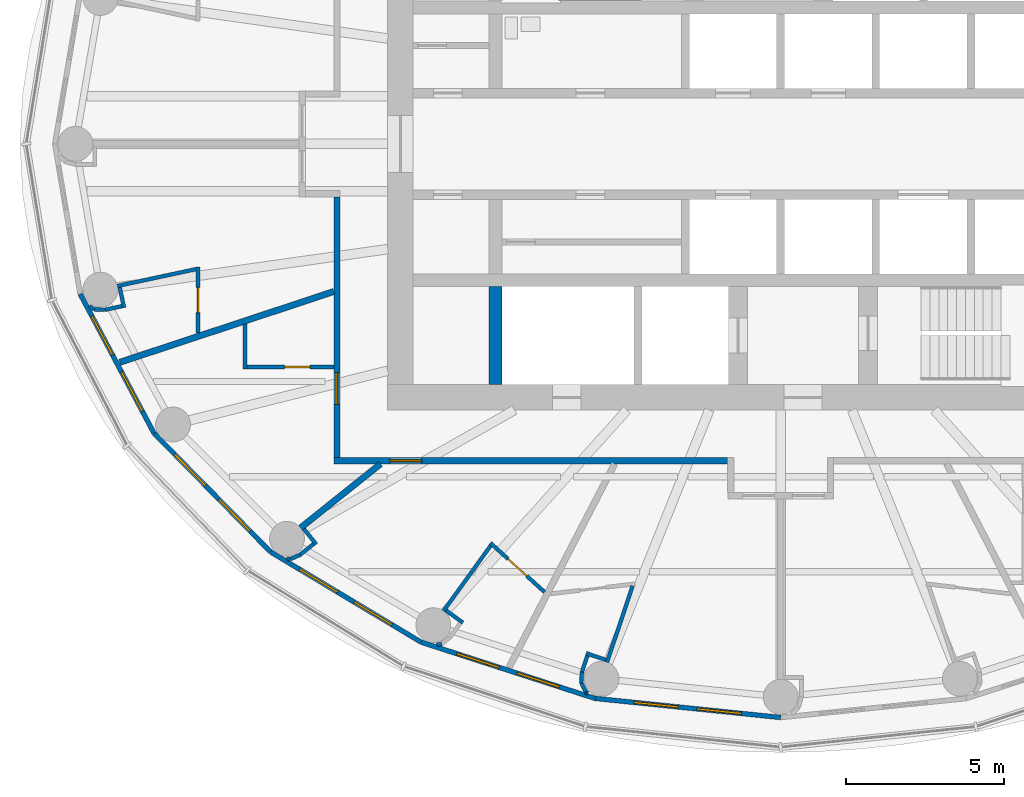
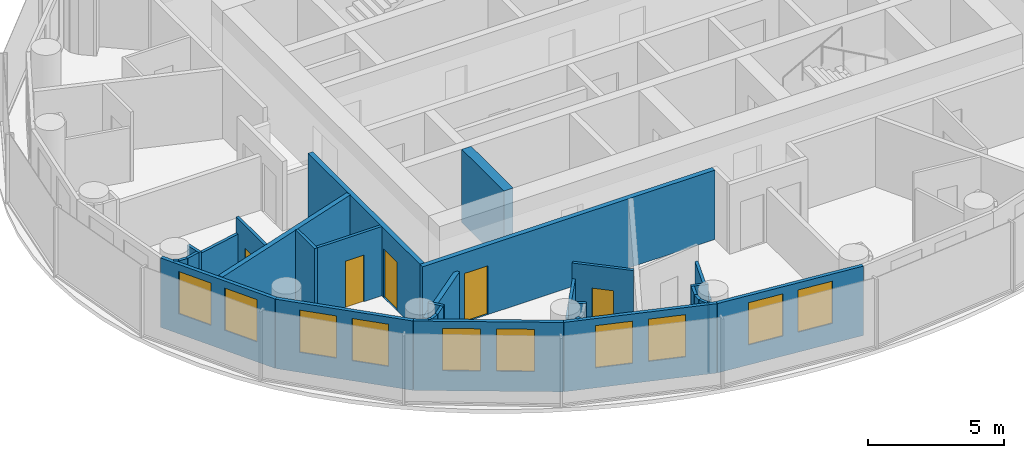
# One storey, part 6 of 16: 32 walls, 10 windows, 5 doors, 15 openings.
"""IFC4 building model written with IfcOpenShell, lengths in metres."""

from ifc_helpers import new_model, si_unit, direction, frame, frame_2d, origin, place, context, subcontext, project, spatial, rectangle, extrude, material, layer, layer_set, type_object, element, fill, save


model = new_model("IFC4")

# Units and contexts
model_context = context("Model", 3, precision=1e-05, world=origin(), true_north=direction((0.0, 1.0)))
body_context = subcontext(model_context, "Body", "Model", "MODEL_VIEW")
ifc_project = project(units=[si_unit("LENGTHUNIT", "METRE"), si_unit("AREAUNIT", "SQUARE_METRE"), si_unit("VOLUMEUNIT", "CUBIC_METRE"), si_unit("PLANEANGLEUNIT", "RADIAN"), si_unit("MASSUNIT", "GRAM", prefix="KILO")], contexts=[model_context])

# Site, building, storey
site_placement = place(None, origin())
site = spatial("IfcSite", under=ifc_project, at=site_placement, CompositionType="ELEMENT")
building_placement = place(site_placement, origin())
building = spatial("IfcBuilding", under=site, at=building_placement, Name="Hankou Lantern Tower", CompositionType="ELEMENT")
storey_placement = place(building_placement, frame((0.0, 0.0, 153.300048828125)))
storey = spatial("IfcBuildingStorey", under=building, at=storey_placement, Name="L40", CompositionType="ELEMENT", Elevation=153.300048828125)

# Wall
ifc_material_1 = material(Name="Concrete C60", Category="concrete")
ifc_layer_1 = layer(ifc_material_1, 0.39990234375)
ifc_layer_set_1 = layer_set([ifc_layer_1], Name="Concrete C60")
wall_type_1 = type_object("IfcWallType", Name="CW4 CORE CROSS WALL 400", PredefinedType="SHEAR", material=ifc_layer_set_1)
wall_1_placement = place(storey_placement, frame((-9.0, -7.60009765625, 0.0), z_axis=(0.0, 0.0, 1.0), x_axis=(0.0, 1.0, 0.0)))
element("IfcWall", 1, at=wall_1_placement, inside=storey, type_object=wall_type_1, Name="Core strip wall L40", PredefinedType="SHEAR", context=body_context, shape_type="SweptSolid", body=[
    extrude(rectangle(XDim=3.10009765625, YDim=0.39990234375, at=frame_2d((1.550048828125, 0.0))), origin(), (0.0, 0.0, 1.0), 3.300048828125),
])

# Wall, openings, windows
ifc_material_2 = material(Name="Aluminium spandrel panel on steel studs", Category="steel")
ifc_layer_2 = layer(ifc_material_2, 0.14990234375)
ifc_layer_set_2 = layer_set([ifc_layer_2], Name="Aluminium spandrel panel on steel studs")
wall_type_2 = type_object("IfcWallType", Name="EW1 INNER SKIN WALL 150", PredefinedType="ELEMENTEDWALL", material=ifc_layer_set_2)
wall_2_placement = place(storey_placement, frame((-22.1015625, -4.73779296875, 0.0), z_axis=(0.0, 0.0, 1.0), x_axis=(0.468428906714, -0.883501193748, 0.0)))
wall_2 = element("IfcWall", 2, at=wall_2_placement, inside=storey, type_object=wall_type_2, Name="Inner skin R14-R15 L40", PredefinedType="ELEMENTEDWALL", context=body_context, shape_type="SweptSolid", body=[
    extrude(rectangle(XDim=4.9736328125, YDim=0.14990234375, at=frame_2d((2.48681640625, 0.0))), origin(), (0.0, 0.0, 1.0), 3.119873046875),
])
opening_1_placement = place(wall_2_placement, frame((0.786865234375, 0.0, 0.89990234375)))
opening_1 = element("IfcOpeningElement", 3, at=opening_1_placement, cuts=wall_2, Name="Opening W3", PredefinedType="OPENING", context=body_context, shape_type="SweptSolid", body=[
    extrude(rectangle(XDim=1.39990234375, YDim=1.89990234375, at=frame_2d((0.699951171875, 0.949951171875))), frame((0.0, 0.0849609375, 0.0), z_axis=(0.0, -1.0, 0.0), x_axis=(1.0, 0.0, 0.0)), (0.0, 0.0, 1.0), 0.169921875),
])
opening_2_placement = place(wall_2_placement, frame((2.786865234375, 0.0, 0.89990234375)))
opening_2 = element("IfcOpeningElement", 4, at=opening_2_placement, cuts=wall_2, Name="Opening W3", PredefinedType="OPENING", context=body_context, shape_type="SweptSolid", body=[
    extrude(rectangle(XDim=1.39990234375, YDim=1.89990234375, at=frame_2d((0.699951171875, 0.949951171875))), frame((0.0, 0.0849609375, 0.0), z_axis=(0.0, -1.0, 0.0), x_axis=(1.0, 0.0, 0.0)), (0.0, 0.0, 1.0), 0.169921875),
])
ifc_material_3 = material(Name="Aluminium framed double glazed window", Category="aluminium")
window_type = type_object("IfcWindowType", Name="W3 GUEST ROOM WINDOW 1400X1900", PartitioningType="DOUBLE_PANEL_VERTICAL", PredefinedType="WINDOW", material=ifc_material_3)
window_1_placement = place(opening_1_placement, origin())
window_1 = element("IfcWindow", 5, at=window_1_placement, inside=storey, type_object=window_type, Name="Window R14.1 L40", OverallHeight=1.89990234375, OverallWidth=1.39990234375, PartitioningType="SINGLE_PANEL", PredefinedType="WINDOW", context=body_context, shape_type="SweptSolid", body=[
    extrude(rectangle(XDim=1.39990234375, YDim=1.89990234375, at=frame_2d((0.699951171875, 0.949951171875))), frame((0.0, 0.030029296875, 0.0), z_axis=(0.0, -1.0, 0.0), x_axis=(1.0, 0.0, 0.0)), (0.0, 0.0, 1.0), 0.06005859375),
])
fill(opening_1, window_1)
window_2_placement = place(opening_2_placement, origin())
window_2 = element("IfcWindow", 6, at=window_2_placement, inside=storey, type_object=window_type, Name="Window R14.2 L40", OverallHeight=1.89990234375, OverallWidth=1.39990234375, PartitioningType="SINGLE_PANEL", PredefinedType="WINDOW", context=body_context, shape_type="SweptSolid", body=[
    extrude(rectangle(XDim=1.39990234375, YDim=1.89990234375, at=frame_2d((0.699951171875, 0.949951171875))), frame((0.0, 0.030029296875, 0.0), z_axis=(0.0, -1.0, 0.0), x_axis=(1.0, 0.0, 0.0)), (0.0, 0.0, 1.0), 0.06005859375),
])
fill(opening_2, window_2)

wall_3_placement = place(storey_placement, frame((-19.771728515625, -9.132080078125, 0.0), z_axis=(0.0, 0.0, 1.0), x_axis=(0.700727467776, -0.71342905457, 0.0)))
wall_3 = element("IfcWall", 7, at=wall_3_placement, inside=storey, type_object=wall_type_2, Name="Inner skin R15-R16 L40", PredefinedType="ELEMENTEDWALL", context=body_context, shape_type="SweptSolid", body=[
    extrude(rectangle(XDim=5.247314453125, YDim=0.14990234375, at=frame_2d((2.62353515625, 0.0))), origin(), (0.0, 0.0, 1.0), 3.119873046875),
])
opening_3_placement = place(wall_3_placement, frame((0.923583984375, 0.0, 0.89990234375)))
opening_3 = element("IfcOpeningElement", 8, at=opening_3_placement, cuts=wall_3, Name="Opening W3", PredefinedType="OPENING", context=body_context, shape_type="SweptSolid", body=[
    extrude(rectangle(XDim=1.39990234375, YDim=1.89990234375, at=frame_2d((0.699951171875, 0.949951171875))), frame((0.0, 0.0849609375, 0.0), z_axis=(0.0, -1.0, 0.0), x_axis=(1.0, 0.0, 0.0)), (0.0, 0.0, 1.0), 0.169921875),
])
opening_4_placement = place(wall_3_placement, frame((2.923583984375, 0.0, 0.89990234375)))
opening_4 = element("IfcOpeningElement", 9, at=opening_4_placement, cuts=wall_3, Name="Opening W3", PredefinedType="OPENING", context=body_context, shape_type="SweptSolid", body=[
    extrude(rectangle(XDim=1.39990234375, YDim=1.89990234375, at=frame_2d((0.699951171875, 0.949951171875))), frame((0.0, 0.0849609375, 0.0), z_axis=(0.0, -1.0, 0.0), x_axis=(1.0, 0.0, 0.0)), (0.0, 0.0, 1.0), 0.169921875),
])
window_3_placement = place(opening_3_placement, origin())
window_3 = element("IfcWindow", 10, at=window_3_placement, inside=storey, type_object=window_type, Name="Window R15.1 L40", OverallHeight=1.89990234375, OverallWidth=1.39990234375, PartitioningType="SINGLE_PANEL", PredefinedType="WINDOW", context=body_context, shape_type="SweptSolid", body=[
    extrude(rectangle(XDim=1.39990234375, YDim=1.89990234375, at=frame_2d((0.699951171875, 0.949951171875))), frame((0.0, 0.030029296875, 0.0), z_axis=(0.0, -1.0, 0.0), x_axis=(1.0, 0.0, 0.0)), (0.0, 0.0, 1.0), 0.06005859375),
])
fill(opening_3, window_3)
window_4_placement = place(opening_4_placement, origin())
window_4 = element("IfcWindow", 11, at=window_4_placement, inside=storey, type_object=window_type, Name="Window R15.2 L40", OverallHeight=1.89990234375, OverallWidth=1.39990234375, PartitioningType="SINGLE_PANEL", PredefinedType="WINDOW", context=body_context, shape_type="SweptSolid", body=[
    extrude(rectangle(XDim=1.39990234375, YDim=1.89990234375, at=frame_2d((0.699951171875, 0.949951171875))), frame((0.0, 0.030029296875, 0.0), z_axis=(0.0, -1.0, 0.0), x_axis=(1.0, 0.0, 0.0)), (0.0, 0.0, 1.0), 0.06005859375),
])
fill(opening_4, window_4)

wall_4_placement = place(storey_placement, frame((-16.0947265625, -12.875732421875, 0.0), z_axis=(0.0, 0.0, 1.0), x_axis=(0.857695199231, -0.514158482587, 0.0)))
wall_4 = element("IfcWall", 12, at=wall_4_placement, inside=storey, type_object=wall_type_2, Name="Inner skin R16-R17 L40", PredefinedType="ELEMENTEDWALL", context=body_context, shape_type="SweptSolid", body=[
    extrude(rectangle(XDim=5.5361328125, YDim=0.14990234375, at=frame_2d((2.76806640625, 0.0))), origin(), (0.0, 0.0, 1.0), 3.119873046875),
])
opening_5_placement = place(wall_4_placement, frame((1.068115234375, 0.0, 0.89990234375)))
opening_5 = element("IfcOpeningElement", 13, at=opening_5_placement, cuts=wall_4, Name="Opening W3", PredefinedType="OPENING", context=body_context, shape_type="SweptSolid", body=[
    extrude(rectangle(XDim=1.39990234375, YDim=1.89990234375, at=frame_2d((0.699951171875, 0.949951171875))), frame((0.0, 0.0849609375, 0.0), z_axis=(0.0, -1.0, 0.0), x_axis=(1.0, 0.0, 0.0)), (0.0, 0.0, 1.0), 0.169921875),
])
opening_6_placement = place(wall_4_placement, frame((3.068115234375, 0.0, 0.89990234375)))
opening_6 = element("IfcOpeningElement", 14, at=opening_6_placement, cuts=wall_4, Name="Opening W3", PredefinedType="OPENING", context=body_context, shape_type="SweptSolid", body=[
    extrude(rectangle(XDim=1.39990234375, YDim=1.89990234375, at=frame_2d((0.699951171875, 0.949951171875))), frame((0.0, 0.0849609375, 0.0), z_axis=(0.0, -1.0, 0.0), x_axis=(1.0, 0.0, 0.0)), (0.0, 0.0, 1.0), 0.169921875),
])
window_5_placement = place(opening_5_placement, origin())
window_5 = element("IfcWindow", 15, at=window_5_placement, inside=storey, type_object=window_type, Name="Window R16.1 L40", OverallHeight=1.89990234375, OverallWidth=1.39990234375, PartitioningType="SINGLE_PANEL", PredefinedType="WINDOW", context=body_context, shape_type="SweptSolid", body=[
    extrude(rectangle(XDim=1.39990234375, YDim=1.89990234375, at=frame_2d((0.699951171875, 0.949951171875))), frame((0.0, 0.030029296875, 0.0), z_axis=(0.0, -1.0, 0.0), x_axis=(1.0, 0.0, 0.0)), (0.0, 0.0, 1.0), 0.06005859375),
])
fill(opening_5, window_5)
window_6_placement = place(opening_6_placement, origin())
window_6 = element("IfcWindow", 16, at=window_6_placement, inside=storey, type_object=window_type, Name="Window R16.2 L40", OverallHeight=1.89990234375, OverallWidth=1.39990234375, PartitioningType="SINGLE_PANEL", PredefinedType="WINDOW", context=body_context, shape_type="SweptSolid", body=[
    extrude(rectangle(XDim=1.39990234375, YDim=1.89990234375, at=frame_2d((0.699951171875, 0.949951171875))), frame((0.0, 0.030029296875, 0.0), z_axis=(0.0, -1.0, 0.0), x_axis=(1.0, 0.0, 0.0)), (0.0, 0.0, 1.0), 0.06005859375),
])
fill(opening_6, window_6)

wall_5_placement = place(storey_placement, frame((-11.346435546875, -15.72216796875, 0.0), z_axis=(0.0, 0.0, 1.0), x_axis=(0.951432482129, -0.307857486429, 0.0)))
wall_5 = element("IfcWall", 17, at=wall_5_placement, inside=storey, type_object=wall_type_2, Name="Inner skin R17-R18 L40", PredefinedType="ELEMENTEDWALL", context=body_context, shape_type="SweptSolid", body=[
    extrude(rectangle(XDim=5.76611328125, YDim=0.14990234375, at=frame_2d((2.883056640625, 0.0))), origin(), (0.0, 0.0, 1.0), 3.119873046875),
])
opening_7_placement = place(wall_5_placement, frame((1.18310546875, 0.0, 0.89990234375)))
opening_7 = element("IfcOpeningElement", 18, at=opening_7_placement, cuts=wall_5, Name="Opening W3", PredefinedType="OPENING", context=body_context, shape_type="SweptSolid", body=[
    extrude(rectangle(XDim=1.39990234375, YDim=1.89990234375, at=frame_2d((0.699951171875, 0.949951171875))), frame((0.0, 0.0849609375, 0.0), z_axis=(0.0, -1.0, 0.0), x_axis=(1.0, 0.0, 0.0)), (0.0, 0.0, 1.0), 0.169921875),
])
opening_8_placement = place(wall_5_placement, frame((3.18310546875, 0.0, 0.89990234375)))
opening_8 = element("IfcOpeningElement", 19, at=opening_8_placement, cuts=wall_5, Name="Opening W3", PredefinedType="OPENING", context=body_context, shape_type="SweptSolid", body=[
    extrude(rectangle(XDim=1.39990234375, YDim=1.89990234375, at=frame_2d((0.699951171875, 0.949951171875))), frame((0.0, 0.0849609375, 0.0), z_axis=(0.0, -1.0, 0.0), x_axis=(1.0, 0.0, 0.0)), (0.0, 0.0, 1.0), 0.169921875),
])
window_7_placement = place(opening_7_placement, origin())
window_7 = element("IfcWindow", 20, at=window_7_placement, inside=storey, type_object=window_type, Name="Window R17.1 L40", OverallHeight=1.89990234375, OverallWidth=1.39990234375, PartitioningType="SINGLE_PANEL", PredefinedType="WINDOW", context=body_context, shape_type="SweptSolid", body=[
    extrude(rectangle(XDim=1.39990234375, YDim=1.89990234375, at=frame_2d((0.699951171875, 0.949951171875))), frame((0.0, 0.030029296875, 0.0), z_axis=(0.0, -1.0, 0.0), x_axis=(1.0, 0.0, 0.0)), (0.0, 0.0, 1.0), 0.06005859375),
])
fill(opening_7, window_7)
window_8_placement = place(opening_8_placement, origin())
window_8 = element("IfcWindow", 21, at=window_8_placement, inside=storey, type_object=window_type, Name="Window R17.2 L40", OverallHeight=1.89990234375, OverallWidth=1.39990234375, PartitioningType="SINGLE_PANEL", PredefinedType="WINDOW", context=body_context, shape_type="SweptSolid", body=[
    extrude(rectangle(XDim=1.39990234375, YDim=1.89990234375, at=frame_2d((0.699951171875, 0.949951171875))), frame((0.0, 0.030029296875, 0.0), z_axis=(0.0, -1.0, 0.0), x_axis=(1.0, 0.0, 0.0)), (0.0, 0.0, 1.0), 0.06005859375),
])
fill(opening_8, window_8)

wall_6_placement = place(storey_placement, frame((-5.8603515625, -17.497314453125, 0.0), z_axis=(0.0, 0.0, 1.0), x_axis=(0.994751738032, -0.102318032045, 0.0)))
wall_6 = element("IfcWall", 22, at=wall_6_placement, inside=storey, type_object=wall_type_2, Name="Inner skin R18-R19 L40", PredefinedType="ELEMENTEDWALL", context=body_context, shape_type="SweptSolid", body=[
    extrude(rectangle(XDim=5.891357421875, YDim=0.14990234375, at=frame_2d((2.94580078125, 0.0))), origin(), (0.0, 0.0, 1.0), 3.119873046875),
])
opening_9_placement = place(wall_6_placement, frame((1.24560546875, 0.0, 0.89990234375)))
opening_9 = element("IfcOpeningElement", 23, at=opening_9_placement, cuts=wall_6, Name="Opening W3", PredefinedType="OPENING", context=body_context, shape_type="SweptSolid", body=[
    extrude(rectangle(XDim=1.39990234375, YDim=1.89990234375, at=frame_2d((0.699951171875, 0.949951171875))), frame((0.0, 0.0849609375, 0.0), z_axis=(0.0, -1.0, 0.0), x_axis=(1.0, 0.0, 0.0)), (0.0, 0.0, 1.0), 0.169921875),
])
opening_10_placement = place(wall_6_placement, frame((3.24560546875, 0.0, 0.89990234375)))
opening_10 = element("IfcOpeningElement", 24, at=opening_10_placement, cuts=wall_6, Name="Opening W3", PredefinedType="OPENING", context=body_context, shape_type="SweptSolid", body=[
    extrude(rectangle(XDim=1.39990234375, YDim=1.89990234375, at=frame_2d((0.699951171875, 0.949951171875))), frame((0.0, 0.0849609375, 0.0), z_axis=(0.0, -1.0, 0.0), x_axis=(1.0, 0.0, 0.0)), (0.0, 0.0, 1.0), 0.169921875),
])
window_9_placement = place(opening_9_placement, origin())
window_9 = element("IfcWindow", 25, at=window_9_placement, inside=storey, type_object=window_type, Name="Window R18.1 L40", OverallHeight=1.89990234375, OverallWidth=1.39990234375, PartitioningType="SINGLE_PANEL", PredefinedType="WINDOW", context=body_context, shape_type="SweptSolid", body=[
    extrude(rectangle(XDim=1.39990234375, YDim=1.89990234375, at=frame_2d((0.699951171875, 0.949951171875))), frame((0.0, 0.030029296875, 0.0), z_axis=(0.0, -1.0, 0.0), x_axis=(1.0, 0.0, 0.0)), (0.0, 0.0, 1.0), 0.06005859375),
])
fill(opening_9, window_9)
window_10_placement = place(opening_10_placement, origin())
window_10 = element("IfcWindow", 26, at=window_10_placement, inside=storey, type_object=window_type, Name="Window R18.2 L40", OverallHeight=1.89990234375, OverallWidth=1.39990234375, PartitioningType="SINGLE_PANEL", PredefinedType="WINDOW", context=body_context, shape_type="SweptSolid", body=[
    extrude(rectangle(XDim=1.39990234375, YDim=1.89990234375, at=frame_2d((0.699951171875, 0.949951171875))), frame((0.0, 0.030029296875, 0.0), z_axis=(0.0, -1.0, 0.0), x_axis=(1.0, 0.0, 0.0)), (0.0, 0.0, 1.0), 0.06005859375),
])
fill(opening_10, window_10)

# Walls
ifc_material_4 = material(Name="Masonry lightweight concrete block", Category="masonry")
ifc_layer_3 = layer(ifc_material_4, 0.199951171875)
ifc_layer_set_3 = layer_set([ifc_layer_3], Name="Masonry lightweight concrete block")
wall_type_3 = type_object("IfcWallType", Name="IW1 GUEST ROOM PARTY WALL 200", PredefinedType="PARTITIONING", material=ifc_layer_set_3)
wall_7_placement = place(storey_placement, frame((-14.10009765625, -4.661376953125, 0.0), z_axis=(0.0, 0.0, 1.0), x_axis=(-0.949453216399, -0.313908569285, 0.0)))
element("IfcWall", 27, at=wall_7_placement, inside=storey, type_object=wall_type_3, Name="Party wall R14-R15", PredefinedType="PARTITIONING", context=body_context, shape_type="SweptSolid", body=[
    extrude(rectangle(XDim=7.108642578125, YDim=0.199951171875, at=frame_2d((3.55419921875, 0.0))), origin(), (0.0, 0.0, 1.0), 3.119873046875),
])
wall_8_placement = place(storey_placement, frame((-12.625, -10.10009765625, 0.0), z_axis=(0.0, 0.0, 1.0), x_axis=(-0.780876185034, -0.624685827954, 0.0)))
element("IfcWall", 28, at=wall_8_placement, inside=storey, type_object=wall_type_3, Name="Party wall R16", PredefinedType="PARTITIONING", context=body_context, shape_type="SweptSolid", body=[
    extrude(rectangle(XDim=3.229248046875, YDim=0.199951171875, at=frame_2d((1.61474609375, 0.0))), origin(), (0.0, 0.0, 1.0), 2.419921875),
])

# Wall, opening, door
ifc_material_5 = material(Name="Masonry lightweight concrete block", Category="masonry")
ifc_layer_4 = layer(ifc_material_5, 0.199951171875)
ifc_layer_set_4 = layer_set([ifc_layer_4], Name="Masonry lightweight concrete block")
wall_type_4 = type_object("IfcWallType", Name="IW2 CORRIDOR WALL 200", PredefinedType="PARTITIONING", material=ifc_layer_set_4)
wall_9_placement = place(storey_placement, frame((-14.0, -1.669921875, 0.0), z_axis=(0.0, 0.0, 1.0), x_axis=(0.0, -1.0, 0.0)))
wall_9 = element("IfcWall", 29, at=wall_9_placement, inside=storey, type_object=wall_type_4, Name="Corridor wall west", PredefinedType="PARTITIONING", context=body_context, shape_type="SweptSolid", body=[
    extrude(rectangle(XDim=8.22998046875, YDim=0.199951171875, at=frame_2d((4.114990234375, 0.0))), origin(), (0.0, 0.0, 1.0), 3.119873046875),
])
opening_11_placement = place(wall_9_placement, frame((5.551513671875, 0.0, 0.0)))
opening_11 = element("IfcOpeningElement", 30, at=opening_11_placement, cuts=wall_9, Name="Opening D1", PredefinedType="OPENING", context=body_context, shape_type="SweptSolid", body=[
    extrude(rectangle(XDim=1.0, YDim=2.199951171875, at=frame_2d((0.5, 1.10009765625))), frame((0.0, 0.10986328125, 0.0), z_axis=(0.0, -1.0, 0.0), x_axis=(1.0, 0.0, 0.0)), (0.0, 0.0, 1.0), 0.219970703125),
])
ifc_material_6 = material(Name="Steel door leaf", Category="steel")
door_type_1 = type_object("IfcDoorType", Name="D1 GUEST ROOM DOOR 1000X2200", OperationType="SINGLE_SWING_LEFT", PredefinedType="DOOR", material=ifc_material_6)
door_1_placement = place(opening_11_placement, origin())
door_1 = element("IfcDoor", 31, at=door_1_placement, inside=storey, type_object=door_type_1, Name="Guest room door 4009", OperationType="SINGLE_SWING_RIGHT", OverallHeight=2.199951171875, OverallWidth=1.0, PredefinedType="DOOR", context=body_context, shape_type="SweptSolid", body=[
    extrude(rectangle(XDim=1.0, YDim=2.199951171875, at=frame_2d((0.5, 1.10009765625))), frame((0.0, 0.02490234375, 0.0), z_axis=(0.0, -1.0, 0.0), x_axis=(1.0, 0.0, 0.0)), (0.0, 0.0, 1.0), 0.050048828125),
])
fill(opening_11, door_1)

wall_10_placement = place(storey_placement, frame((-1.669921875, -10.0, 0.0), z_axis=(0.0, 0.0, 1.0), x_axis=(-1.0, 0.0, 0.0)))
wall_10 = element("IfcWall", 32, at=wall_10_placement, inside=storey, type_object=wall_type_4, Name="Corridor wall south", PredefinedType="PARTITIONING", context=body_context, shape_type="SweptSolid", body=[
    extrude(rectangle(XDim=12.43017578125, YDim=0.199951171875, at=frame_2d((6.215087890625, 0.0))), origin(), (0.0, 0.0, 1.0), 3.119873046875),
])
opening_12_placement = place(wall_10_placement, frame((9.655029296875, 0.0, 0.0)))
opening_12 = element("IfcOpeningElement", 33, at=opening_12_placement, cuts=wall_10, Name="Opening D1", PredefinedType="OPENING", context=body_context, shape_type="SweptSolid", body=[
    extrude(rectangle(XDim=1.0, YDim=2.199951171875, at=frame_2d((0.5, 1.10009765625))), frame((0.0, 0.10986328125, 0.0), z_axis=(0.0, -1.0, 0.0), x_axis=(1.0, 0.0, 0.0)), (0.0, 0.0, 1.0), 0.219970703125),
])
door_2_placement = place(opening_12_placement, origin())
door_2 = element("IfcDoor", 34, at=door_2_placement, inside=storey, type_object=door_type_1, Name="Guest room door 4010", OperationType="SINGLE_SWING_LEFT", OverallHeight=2.199951171875, OverallWidth=1.0, PredefinedType="DOOR", context=body_context, shape_type="SweptSolid", body=[
    extrude(rectangle(XDim=1.0, YDim=2.199951171875, at=frame_2d((0.5, 1.10009765625))), frame((0.0, 0.02490234375, 0.0), z_axis=(0.0, -1.0, 0.0), x_axis=(1.0, 0.0, 0.0)), (0.0, 0.0, 1.0), 0.050048828125),
])
fill(opening_12, door_2)

ifc_material_7 = material(Name="Masonry lightweight concrete block", Category="masonry")
ifc_layer_5 = layer(ifc_material_7, 0.1201171875)
ifc_layer_set_5 = layer_set([ifc_layer_5], Name="Masonry lightweight concrete block")
wall_type_5 = type_object("IfcWallType", Name="IW3 BATHROOM WALL 120", PredefinedType="PARTITIONING", material=ifc_layer_set_5)
wall_11_placement = place(storey_placement, frame((-18.380859375, -5.971435546875, 0.0), z_axis=(0.0, 0.0, 1.0), x_axis=(-0.000934142516, 0.999999563689, 0.0)))
wall_11 = element("IfcWall", 35, at=wall_11_placement, inside=storey, type_object=wall_type_5, Name="Box wall 4008 1", PredefinedType="PARTITIONING", context=body_context, shape_type="SweptSolid", body=[
    extrude(rectangle(XDim=2.0908203125, YDim=0.1201171875, at=frame_2d((1.04541015625, 0.0))), origin(), (0.0, 0.0, 1.0), 3.119873046875),
])
opening_13_placement = place(wall_11_placement, frame((0.6455078125, 0.0, 0.0)))
opening_13 = element("IfcOpeningElement", 36, at=opening_13_placement, cuts=wall_11, Name="Opening D3", PredefinedType="OPENING", context=body_context, shape_type="SweptSolid", body=[
    extrude(rectangle(XDim=0.800048828125, YDim=2.10009765625, at=frame_2d((0.39990234375, 1.050048828125))), frame((0.0, 0.070068359375, 0.0), z_axis=(0.0, -1.0, 0.0), x_axis=(1.0, 0.0, 0.0)), (0.0, 0.0, 1.0), 0.14013671875),
])
ifc_material_8 = material(Name="Timber door leaf", Category="wood")
door_type_2 = type_object("IfcDoorType", Name="D3 BATHROOM DOOR 800X2100", OperationType="SINGLE_SWING_LEFT", PredefinedType="DOOR", material=ifc_material_8)
door_3_placement = place(opening_13_placement, origin())
door_3 = element("IfcDoor", 37, at=door_3_placement, inside=storey, type_object=door_type_2, Name="En-suite bathroom 4008 door", OperationType="SINGLE_SWING_RIGHT", OverallHeight=2.10009765625, OverallWidth=0.800048828125, PredefinedType="DOOR", context=body_context, shape_type="SweptSolid", body=[
    extrude(rectangle(XDim=0.800048828125, YDim=2.10009765625, at=frame_2d((0.39990234375, 1.050048828125))), frame((0.0, 0.02490234375, 0.0), z_axis=(0.0, -1.0, 0.0), x_axis=(1.0, 0.0, 0.0)), (0.0, 0.0, 1.0), 0.050048828125),
])
fill(opening_13, door_3)

# Walls
wall_12_placement = place(storey_placement, frame((-18.44140625, -3.953125, 0.0), z_axis=(0.0, 0.0, 1.0), x_axis=(-0.977801007461, -0.209535652833, 0.0)))
element("IfcWall", 38, at=wall_12_placement, inside=storey, type_object=wall_type_5, Name="Box wall 4008 2", PredefinedType="PARTITIONING", context=body_context, shape_type="SweptSolid", body=[
    extrude(rectangle(XDim=2.5400390625, YDim=0.1201171875, at=frame_2d((1.27001953125, 0.0))), origin(), (0.0, 0.0, 1.0), 2.419921875),
])
wall_13_placement = place(storey_placement, frame((-20.853759765625, -4.531494140625, 0.0), z_axis=(0.0, 0.0, 1.0), x_axis=(0.209631346779, -0.977780496046, 0.0)))
element("IfcWall", 39, at=wall_13_placement, inside=storey, type_object=wall_type_5, Name="Column casing 4008 return", PredefinedType="PARTITIONING", context=body_context, shape_type="SweptSolid", body=[
    extrude(rectangle(XDim=0.652099609375, YDim=0.1201171875, at=frame_2d((0.326171875, 0.0))), origin(), (0.0, 0.0, 1.0), 3.119873046875),
])
wall_14_placement = place(storey_placement, frame((-20.788330078125, -5.123291015625, 0.0), z_axis=(0.0, 0.0, 1.0), x_axis=(-0.977789415726, -0.209589738521, 0.0)))
element("IfcWall", 40, at=wall_14_placement, inside=storey, type_object=wall_type_5, Name="Column casing 4008", PredefinedType="PARTITIONING", context=body_context, shape_type="SweptSolid", body=[
    extrude(rectangle(XDim=0.5498046875, YDim=0.1201171875, at=frame_2d((0.27490234375, 0.0))), origin(), (0.0, 0.0, 1.0), 3.119873046875),
])
wall_15_placement = place(storey_placement, frame((-21.325927734375, -5.238525390625, 0.0), z_axis=(0.0, 0.0, 1.0), x_axis=(-0.998719689441, 0.050586380797, 0.0)))
element("IfcWall", 41, at=wall_15_placement, inside=storey, type_object=wall_type_5, Name="Column casing 4008", PredefinedType="PARTITIONING", context=body_context, shape_type="SweptSolid", body=[
    extrude(rectangle(XDim=0.337890625, YDim=0.1201171875, at=frame_2d((0.1689453125, 0.0))), origin(), (0.0, 0.0, 1.0), 3.119873046875),
])
wall_16_placement = place(storey_placement, frame((-21.663330078125, -5.221435546875, 0.0), z_axis=(0.0, 0.0, 1.0), x_axis=(-0.839279022252, 0.543700949795, 0.0)))
element("IfcWall", 42, at=wall_16_placement, inside=storey, type_object=wall_type_5, Name="Column casing 4008", PredefinedType="PARTITIONING", context=body_context, shape_type="SweptSolid", body=[
    extrude(rectangle(XDim=0.18017578125, YDim=0.1201171875, at=frame_2d((0.090087890625, 0.0))), origin(), (0.0, 0.0, 1.0), 3.119873046875),
])
wall_17_placement = place(storey_placement, frame((-16.89990234375, -5.687255859375, 0.0), z_axis=(0.0, 0.0, 1.0), x_axis=(0.0, -1.0, 0.0)))
element("IfcWall", 43, at=wall_17_placement, inside=storey, type_object=wall_type_5, Name="Box wall 4009 1", PredefinedType="PARTITIONING", context=body_context, shape_type="SweptSolid", body=[
    extrude(rectangle(XDim=1.414306640625, YDim=0.1201171875, at=frame_2d((0.70703125, 0.0))), origin(), (0.0, 0.0, 1.0), 3.119873046875),
])

# Wall, opening, door
wall_18_placement = place(storey_placement, frame((-14.10009765625, -7.04150390625, 0.0), z_axis=(0.0, 0.0, 1.0), x_axis=(-1.0, 0.0, 0.0)))
wall_18 = element("IfcWall", 44, at=wall_18_placement, inside=storey, type_object=wall_type_5, Name="Box wall 4009 1", PredefinedType="PARTITIONING", context=body_context, shape_type="SweptSolid", body=[
    extrude(rectangle(XDim=2.739990234375, YDim=0.1201171875, at=frame_2d((1.3701171875, 0.0))), origin(), (0.0, 0.0, 1.0), 3.119873046875),
])
opening_14_placement = place(wall_18_placement, frame((0.75, 0.0, 0.0)))
opening_14 = element("IfcOpeningElement", 45, at=opening_14_placement, cuts=wall_18, Name="Opening D3", PredefinedType="OPENING", context=body_context, shape_type="SweptSolid", body=[
    extrude(rectangle(XDim=0.800048828125, YDim=2.10009765625, at=frame_2d((0.39990234375, 1.050048828125))), frame((0.0, 0.070068359375, 0.0), z_axis=(0.0, -1.0, 0.0), x_axis=(1.0, 0.0, 0.0)), (0.0, 0.0, 1.0), 0.14013671875),
])
door_4_placement = place(opening_14_placement, origin())
door_4 = element("IfcDoor", 46, at=door_4_placement, inside=storey, type_object=door_type_2, Name="En-suite bathroom 4009 door", OperationType="SINGLE_SWING_LEFT", OverallHeight=2.10009765625, OverallWidth=0.800048828125, PredefinedType="DOOR", context=body_context, shape_type="SweptSolid", body=[
    extrude(rectangle(XDim=0.800048828125, YDim=2.10009765625, at=frame_2d((0.39990234375, 1.050048828125))), frame((0.0, 0.02490234375, 0.0), z_axis=(0.0, -1.0, 0.0), x_axis=(1.0, 0.0, 0.0)), (0.0, 0.0, 1.0), 0.050048828125),
])
fill(opening_14, door_4)

wall_19_placement = place(storey_placement, frame((-7.44970703125, -14.1416015625, 0.0), z_axis=(0.0, 0.0, 1.0), x_axis=(-0.74113984586, 0.671350675041, 0.0)))
wall_19 = element("IfcWall", 47, at=wall_19_placement, inside=storey, type_object=wall_type_5, Name="Box wall 4010 1", PredefinedType="PARTITIONING", context=body_context, shape_type="SweptSolid", body=[
    extrude(rectangle(XDim=2.308837890625, YDim=0.1201171875, at=frame_2d((1.154296875, 0.0))), origin(), (0.0, 0.0, 1.0), 3.119873046875),
])
opening_15_placement = place(wall_19_placement, frame((0.75439453125, 0.0, 0.0)))
opening_15 = element("IfcOpeningElement", 48, at=opening_15_placement, cuts=wall_19, Name="Opening D3", PredefinedType="OPENING", context=body_context, shape_type="SweptSolid", body=[
    extrude(rectangle(XDim=0.800048828125, YDim=2.10009765625, at=frame_2d((0.39990234375, 1.050048828125))), frame((0.0, 0.070068359375, 0.0), z_axis=(0.0, -1.0, 0.0), x_axis=(1.0, 0.0, 0.0)), (0.0, 0.0, 1.0), 0.14013671875),
])
door_5_placement = place(opening_15_placement, origin())
door_5 = element("IfcDoor", 49, at=door_5_placement, inside=storey, type_object=door_type_2, Name="En-suite bathroom 4010 door", OperationType="SINGLE_SWING_RIGHT", OverallHeight=2.10009765625, OverallWidth=0.800048828125, PredefinedType="DOOR", context=body_context, shape_type="SweptSolid", body=[
    extrude(rectangle(XDim=0.800048828125, YDim=2.10009765625, at=frame_2d((0.39990234375, 1.050048828125))), frame((0.0, 0.02490234375, 0.0), z_axis=(0.0, -1.0, 0.0), x_axis=(1.0, 0.0, 0.0)), (0.0, 0.0, 1.0), 0.050048828125),
])
fill(opening_15, door_5)

# Walls
wall_20_placement = place(storey_placement, frame((-9.1513671875, -12.6806640625, 0.0), z_axis=(0.0, 0.0, 1.0), x_axis=(-0.585258912334, -0.8108464747, 0.0)))
element("IfcWall", 50, at=wall_20_placement, inside=storey, type_object=wall_type_5, Name="Box wall 4010 2", PredefinedType="PARTITIONING", context=body_context, shape_type="SweptSolid", body=[
    extrude(rectangle(XDim=2.5400390625, YDim=0.1201171875, at=frame_2d((1.27001953125, 0.0))), origin(), (0.0, 0.0, 1.0), 2.419921875),
])
wall_21_placement = place(storey_placement, frame((-10.55419921875, -14.726806640625, 0.0), z_axis=(0.0, 0.0, 1.0), x_axis=(0.811044231224, -0.584984833135, 0.0)))
element("IfcWall", 51, at=wall_21_placement, inside=storey, type_object=wall_type_5, Name="Column casing 4010 return", PredefinedType="PARTITIONING", context=body_context, shape_type="SweptSolid", body=[
    extrude(rectangle(XDim=0.65234375, YDim=0.1201171875, at=frame_2d((0.326171875, 0.0))), origin(), (0.0, 0.0, 1.0), 3.119873046875),
])
wall_22_placement = place(storey_placement, frame((-10.692626953125, -15.78125, 0.0), z_axis=(0.0, 0.0, 1.0), x_axis=(-0.987256785332, -0.159135287777, 0.0)))
element("IfcWall", 52, at=wall_22_placement, inside=storey, type_object=wall_type_5, Name="Column casing 4010", PredefinedType="PARTITIONING", context=body_context, shape_type="SweptSolid", body=[
    extrude(rectangle(XDim=0.157958984375, YDim=0.1201171875, at=frame_2d((0.0791015625, 0.0))), origin(), (0.0, 0.0, 1.0), 3.119873046875),
])
wall_23_placement = place(storey_placement, frame((-4.67138671875, -13.947509765625, 0.0), z_axis=(0.0, 0.0, 1.0), x_axis=(-0.317669167093, -0.948201613729, 0.0)))
element("IfcWall", 53, at=wall_23_placement, inside=storey, type_object=wall_type_5, Name="Box wall 4011 2", PredefinedType="PARTITIONING", context=body_context, shape_type="SweptSolid", body=[
    extrude(rectangle(XDim=2.5400390625, YDim=0.1201171875, at=frame_2d((1.27001953125, 0.0))), origin(), (0.0, 0.0, 1.0), 2.419921875),
])
wall_24_placement = place(storey_placement, frame((-5.51611328125, -16.280029296875, 0.0), z_axis=(0.0, 0.0, 1.0), x_axis=(-0.948157944392, 0.317799484717, 0.0)))
element("IfcWall", 54, at=wall_24_placement, inside=storey, type_object=wall_type_5, Name="Column casing 4011 return", PredefinedType="PARTITIONING", context=body_context, shape_type="SweptSolid", body=[
    extrude(rectangle(XDim=0.652099609375, YDim=0.1201171875, at=frame_2d((0.326171875, 0.0))), origin(), (0.0, 0.0, 1.0), 3.119873046875),
])
wall_25_placement = place(storey_placement, frame((-6.0966796875, -16.148681640625, 0.0), z_axis=(0.0, 0.0, 1.0), x_axis=(-0.317292604854, -0.948327687514, 0.0)))
element("IfcWall", 55, at=wall_25_placement, inside=storey, type_object=wall_type_5, Name="Column casing 4011", PredefinedType="PARTITIONING", context=body_context, shape_type="SweptSolid", body=[
    extrude(rectangle(XDim=0.550048828125, YDim=0.1201171875, at=frame_2d((0.27490234375, 0.0))), origin(), (0.0, 0.0, 1.0), 3.119873046875),
])
for number, where, z_axis, x_axis, name in (
    (56, (-6.271240234375, -16.67041015625, 0.0), (0.0, 0.0, 1.0), (-0.061477694849, -0.998108457552, 0.0), "Column casing 4011"),
    (57, (-6.2919921875, -17.00732421875, 0.0), (0.0, 0.0, 1.0), (0.445477128334, -0.895293319606, 0.0), "Column casing 4011"),
):
    element("IfcWall", number, at=place(storey_placement, frame(where, z_axis=z_axis, x_axis=x_axis)), inside=storey, type_object=wall_type_5, Name=name, PredefinedType="PARTITIONING", context=body_context, shape_type="SweptSolid", body=[
        extrude(rectangle(XDim=0.337646484375, YDim=0.1201171875, at=frame_2d((0.1689453125, 0.0))), origin(), (0.0, 0.0, 1.0), 3.119873046875),
    ])
wall_26_placement = place(storey_placement, frame((-6.1416015625, -17.3095703125, 0.0), z_axis=(0.0, 0.0, 1.0), x_axis=(0.835039693181, -0.550189704386, 0.0)))
element("IfcWall", 58, at=wall_26_placement, inside=storey, type_object=wall_type_5, Name="Column casing 4011", PredefinedType="PARTITIONING", context=body_context, shape_type="SweptSolid", body=[
    extrude(rectangle(XDim=0.0625, YDim=0.1201171875, at=frame_2d((0.03125, 0.0))), origin(), (0.0, 0.0, 1.0), 3.119873046875),
])
ifc_material_9 = material(Name="Masonry lightweight concrete block", Category="masonry")
ifc_layer_6 = layer(ifc_material_9, 0.1201171875)
ifc_layer_set_6 = layer_set([ifc_layer_6], Name="Masonry lightweight concrete block")
wall_type_6 = type_object("IfcWallType", Name="IW4 PARTITION 120", PredefinedType="PARTITIONING", material=ifc_layer_set_6)
wall_27_placement = place(storey_placement, frame((-15.037353515625, -12.157958984375, 0.0), z_axis=(0.0, 0.0, 1.0), x_axis=(0.624840920722, -0.78075208856, 0.0)))
element("IfcWall", 59, at=wall_27_placement, inside=storey, type_object=wall_type_6, Name="Column casing R16 return", PredefinedType="PARTITIONING", context=body_context, shape_type="SweptSolid", body=[
    extrude(rectangle(XDim=0.6123046875, YDim=0.1201171875, at=frame_2d((0.30615234375, 0.0))), origin(), (0.0, 0.0, 1.0), 3.119873046875),
])
wall_28_placement = place(storey_placement, frame((-14.7392578125, -12.626708984375, 0.0), z_axis=(0.0, 0.0, 1.0), x_axis=(-0.780912119987, -0.624640905527, 0.0)))
element("IfcWall", 60, at=wall_28_placement, inside=storey, type_object=wall_type_6, Name="Column casing R16", PredefinedType="PARTITIONING", context=body_context, shape_type="SweptSolid", body=[
    extrude(rectangle(XDim=0.5498046875, YDim=0.1201171875, at=frame_2d((0.27490234375, 0.0))), origin(), (0.0, 0.0, 1.0), 3.119873046875),
])
wall_29_placement = place(storey_placement, frame((-15.168701171875, -12.97021484375, 0.0), z_axis=(0.0, 0.0, 1.0), x_axis=(-0.915974725257, -0.401235968838, 0.0)))
element("IfcWall", 61, at=wall_29_placement, inside=storey, type_object=wall_type_6, Name="Column casing R16", PredefinedType="PARTITIONING", context=body_context, shape_type="SweptSolid", body=[
    extrude(rectangle(XDim=0.337646484375, YDim=0.1201171875, at=frame_2d((0.1689453125, 0.0))), origin(), (0.0, 0.0, 1.0), 3.119873046875),
])
wall_30_placement = place(storey_placement, frame((-15.47802734375, -13.105712890625, 0.0), z_axis=(0.0, 0.0, 1.0), x_axis=(-0.993778813557, 0.111371763588, 0.0)))
element("IfcWall", 62, at=wall_30_placement, inside=storey, type_object=wall_type_6, Name="Column casing R16", PredefinedType="PARTITIONING", context=body_context, shape_type="SweptSolid", body=[
    extrude(rectangle(XDim=0.114013671875, YDim=0.1201171875, at=frame_2d((0.05712890625, 0.0))), origin(), (0.0, 0.0, 1.0), 3.119873046875),
])

save(model, "model.ifc")
